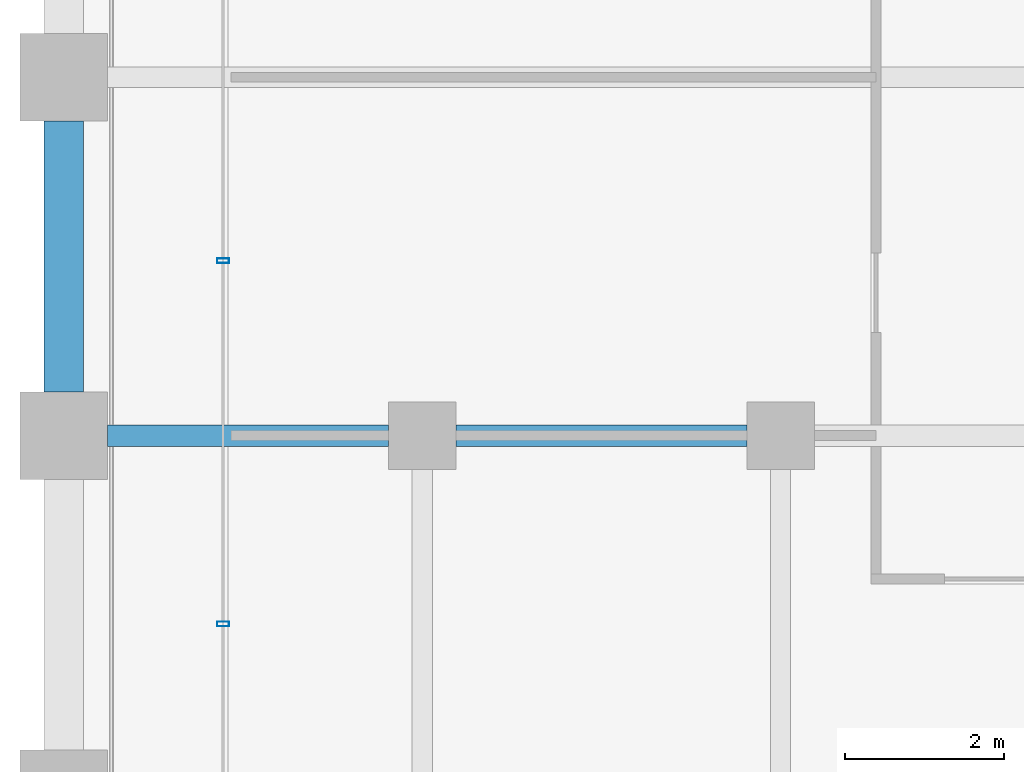
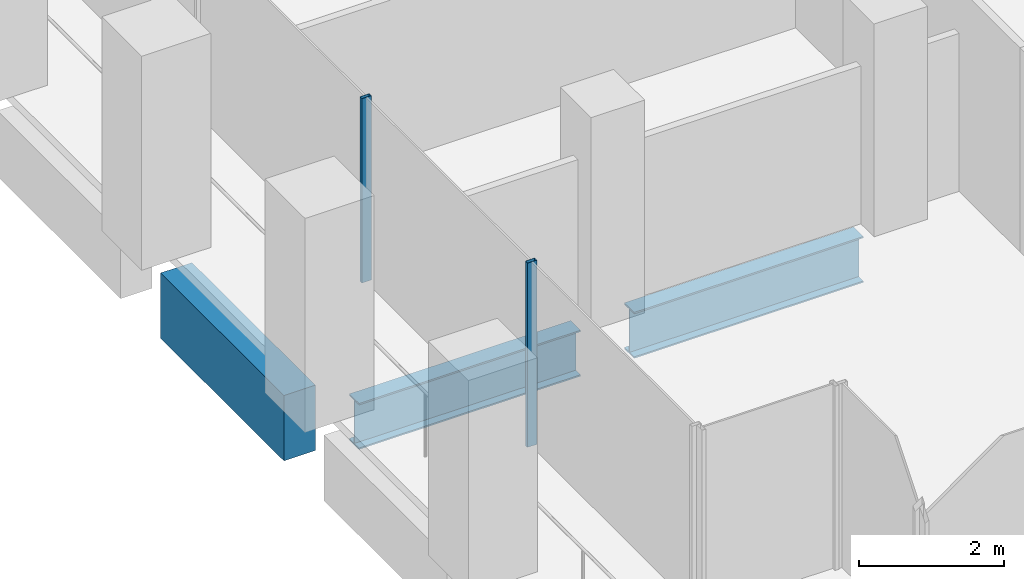
# One storey, part 5 of 56: 3 beams, 2 members, 1 element without a shape of its own.
"""IFC4 building model written with IfcOpenShell, lengths in metres."""

from ifc_helpers import new_model, si_unit, direction, frame, origin, origin_2d, place, context, subcontext, project, spatial, rectangle, hollow_rectangle, i_section, extrude, material, material_profile, profile_set, type_object, element, aggregate, save


model = new_model("IFC4")

# Units and contexts
model_context = context("Model", 3, precision=1e-05, world=origin(), true_north=direction((0.0, 1.0)))
body_context = subcontext(model_context, "Body", "Model", "MODEL_VIEW")
ifc_project = project(units=[si_unit("LENGTHUNIT", "METRE"), si_unit("AREAUNIT", "SQUARE_METRE"), si_unit("VOLUMEUNIT", "CUBIC_METRE"), si_unit("PLANEANGLEUNIT", "RADIAN"), si_unit("MASSUNIT", "GRAM", prefix="KILO")], contexts=[model_context])

# Site, building, storey
site_placement = place(None, origin())
site = spatial("IfcSite", under=ifc_project, at=site_placement, CompositionType="ELEMENT")
building_placement = place(site_placement, origin())
building = spatial("IfcBuilding", under=site, at=building_placement, Name="Altepetl Exchange Towers", CompositionType="ELEMENT")
storey_placement = place(building_placement, frame((0.0, 0.0, 76.199951171875)))
storey = spatial("IfcBuildingStorey", under=building, at=storey_placement, Name="L18", CompositionType="ELEMENT", Elevation=76.199951171875)

# Beams
ifc_material_1 = material(Name="Steel S355", Category="steel")
ifc_material_profile_1 = material_profile(ifc_material_1, i_section(OverallWidth=0.26806640625, OverallDepth=0.77392578125, WebThickness=0.015380859375, FlangeThickness=0.025390625, at=origin_2d()), Name="W30X132")
ifc_profile_set_1 = profile_set([ifc_material_profile_1], Name="Steel S355")
beam_type_1 = type_object("IfcBeamType", Name="Girder W30X132", PredefinedType="BEAM", material=ifc_profile_set_1)
beam_1_placement = place(storey_placement, frame((35.574951171875, 40.5, -0.536865234375), z_axis=(-1.0, 0.0, 0.0), x_axis=(0.0, -1.0, 0.0)))
element("IfcBeam", 1, at=beam_1_placement, inside=storey, type_object=beam_type_1, Name="gd:A:L18:010", PredefinedType="BEAM", context=body_context, shape_type="SweptSolid", body=[
    extrude(i_section(OverallWidth=0.26806640625, OverallDepth=0.77392578125, WebThickness=0.015380859375, FlangeThickness=0.025390625, at=origin_2d()), origin(), (0.0, 0.0, 1.0), 3.64990234375),
])
beam_2_placement = place(storey_placement, frame((31.074951171875, 40.5, -0.536865234375), z_axis=(-1.0, 0.0, 0.0), x_axis=(0.0, -1.0, 0.0)))
element("IfcBeam", 2, at=beam_2_placement, inside=storey, type_object=beam_type_1, Name="gd:A:L18:011", PredefinedType="BEAM", context=body_context, shape_type="SweptSolid", body=[
    extrude(i_section(OverallWidth=0.26806640625, OverallDepth=0.77392578125, WebThickness=0.015380859375, FlangeThickness=0.025390625, at=origin_2d()), origin(), (0.0, 0.0, 1.0), 3.52490234375),
])

# Curtain wall, members
ifc_material_2 = material(Name="Aluminium 6063-T6 glazing", Category="aluminium")
curtain_wall_type = type_object("IfcCurtainWallType", Name="Loggia glazing system", PredefinedType="NOTDEFINED", material=ifc_material_2)
curtain_wall_placement = place(storey_placement, origin())
curtain_wall = element("IfcCurtainWall", 3, at=curtain_wall_placement, inside=storey, type_object=curtain_wall_type, Name="CW1 run", PredefinedType="NOTDEFINED")
ifc_material_3 = material(Name="Aluminium 6063-T6", Category="aluminium")
ifc_material_profile_2 = material_profile(ifc_material_3, hollow_rectangle(XDim=0.06005859375, YDim=0.14990234375, WallThickness=0.0029296875, at=origin_2d()), Name="Mullion 60x150 aluminium")
ifc_profile_set_2 = profile_set([ifc_material_profile_2], Name="Aluminium 6063-T6")
member_type = type_object("IfcMemberType", Name="Mullion 60x150 aluminium", PredefinedType="MULLION", material=ifc_profile_set_2)
member_1_placement = place(storey_placement, frame((29.0, 42.696533203125, 0.0), z_axis=(0.0, 0.0, 1.0), x_axis=(0.0, -1.0, 0.0)))
member_1 = element("IfcMember", 4, at=member_1_placement, type_object=member_type, Name="MU1 mullion", PredefinedType="MULLION", context=body_context, shape_type="SweptSolid", body=[
    extrude(hollow_rectangle(XDim=0.06005859375, YDim=0.14990234375, WallThickness=0.0029296875, at=origin_2d()), origin(), (0.0, 0.0, 1.0), 3.10009765625),
])
member_2_placement = place(storey_placement, frame((29.0, 38.1357421875, 0.0), z_axis=(0.0, 0.0, 1.0), x_axis=(0.0, -1.0, 0.0)))
member_2 = element("IfcMember", 5, at=member_2_placement, type_object=member_type, Name="MU1 mullion", PredefinedType="MULLION", context=body_context, shape_type="SweptSolid", body=[
    extrude(hollow_rectangle(XDim=0.06005859375, YDim=0.14990234375, WallThickness=0.0029296875, at=origin_2d()), origin(), (0.0, 0.0, 1.0), 3.10009765625),
])
aggregate(curtain_wall, [member_1, member_2])

# Beam
ifc_material_4 = material(Name="Concrete C50/60 precast with tezontle facing", Category="concrete")
ifc_material_profile_3 = material_profile(ifc_material_4, rectangle(XDim=0.5, YDim=1.10009765625, at=origin_2d()), Name="500 x 1100")
ifc_profile_set_3 = profile_set([ifc_material_profile_3], Name="Concrete C50/60 precast with tezontle facing")
beam_type_2 = type_object("IfcBeamType", Name="Spandrel beam 500x1100 tezontle", PredefinedType="SPANDREL", material=ifc_profile_set_3)
beam_3_placement = place(storey_placement, frame((27.0, 44.449951171875, -0.699951171875), z_axis=(0.0, -1.0, 0.0), x_axis=(1.0, 0.0, 0.0)))
element("IfcBeam", 6, at=beam_3_placement, inside=storey, type_object=beam_type_2, Name="sp:A:L18:041", PredefinedType="SPANDREL", context=body_context, shape_type="SweptSolid", body=[
    extrude(rectangle(XDim=0.5, YDim=1.10009765625, at=origin_2d()), origin(), (0.0, 0.0, 1.0), 3.39990234375),
])

save(model, "model.ifc")
